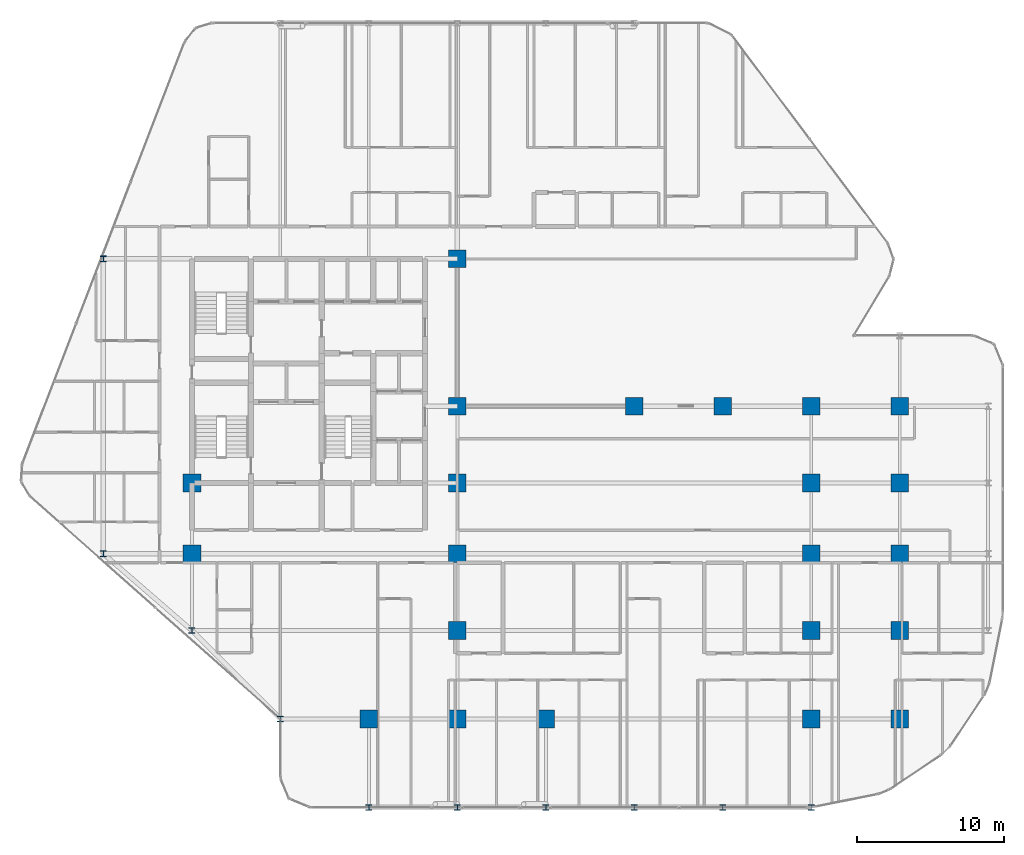
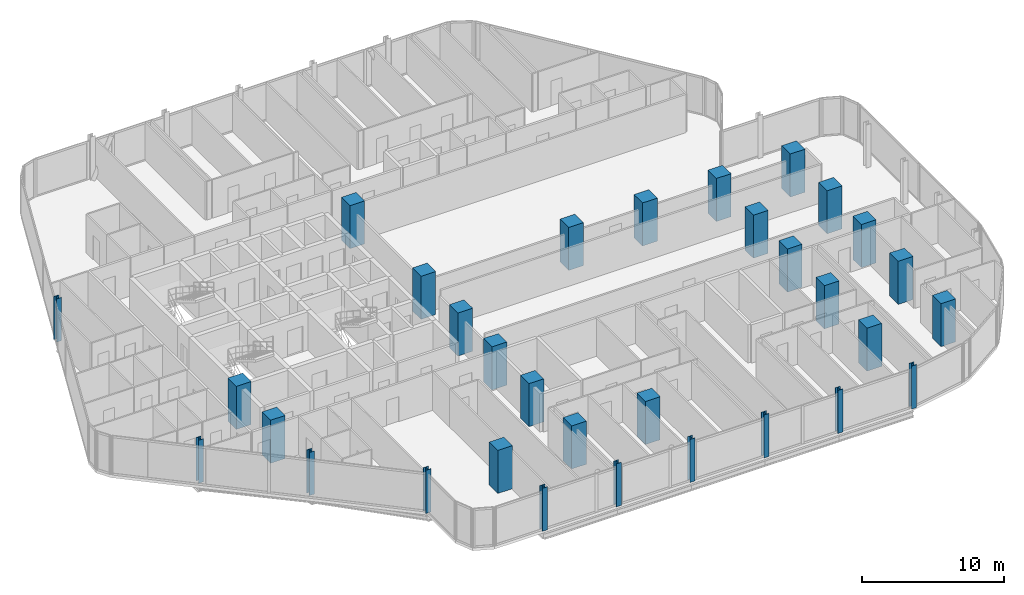
# One storey, part 1 of 33: 32 columns.
"""IFC4 building model written with IfcOpenShell, lengths in metres."""

from ifc_helpers import new_model, si_unit, direction, frame, origin, origin_2d, place, context, subcontext, project, spatial, rectangle, i_section, extrude, material, material_profile, profile_set, type_object, element, save


model = new_model("IFC4")

# Units and contexts
model_context = context("Model", 3, precision=1e-05, world=origin(), true_north=direction((0.0, 1.0)))
body_context = subcontext(model_context, "Body", "Model", "MODEL_VIEW")
ifc_project = project(units=[si_unit("LENGTHUNIT", "METRE"), si_unit("AREAUNIT", "SQUARE_METRE"), si_unit("VOLUMEUNIT", "CUBIC_METRE"), si_unit("PLANEANGLEUNIT", "RADIAN"), si_unit("MASSUNIT", "GRAM", prefix="KILO")], contexts=[model_context])

# Site, building, storey
site_placement = place(None, origin())
site = spatial("IfcSite", under=ifc_project, at=site_placement, CompositionType="ELEMENT")
building_placement = place(site_placement, origin())
building = spatial("IfcBuilding", under=site, at=building_placement, Name="Keshet Zoharim Tower", CompositionType="ELEMENT")
storey_placement = place(building_placement, frame((0.0, 0.0, 57.300048828125)))
storey = spatial("IfcBuildingStorey", under=building, at=storey_placement, Name="L13", CompositionType="ELEMENT", Elevation=57.300048828125)

# Columns
ifc_material_1 = material(Name="Steel S355", Category="steel")
ifc_material_profile_1 = material_profile(ifc_material_1, i_section(OverallWidth=0.40087890625, OverallDepth=0.39892578125, WebThickness=0.02490234375, FlangeThickness=0.03955078125, FilletRadius=0.014892578125, at=origin_2d()), Name="HD400x314")
ifc_profile_set_1 = profile_set([ifc_material_profile_1], Name="Steel S355")
column_type_1 = type_object("IfcColumnType", Name="COL-HD314", PredefinedType="COLUMN", material=ifc_profile_set_1)
for number, where, z_axis, x_axis, name in (
    (1, (9.0, 17.89990234375, 0.0), (0.0, 0.0, 1.0), (1.0, 0.0, 0.0), "L13 Column 2D"),
    (2, (9.0, 37.89990234375, 0.0), (0.0, 0.0, 1.0), (1.0, 0.0, 0.0), "L13 Column 2H"),
    (3, (15.0, 12.699951171875, 0.0), (0.0, 0.0, 1.0), (1.0, 0.0, 0.0), "L13 Column 3C"),
    (4, (21.0, 6.699951171875, 0.0), (0.0, 0.0, 1.0), (1.0, 0.0, 0.0), "L13 Column 4B"),
    (5, (27.0, 0.699951171875, 0.0), (0.0, 0.0, 1.0), (1.0, 0.0, 0.0), "L13 Column 5A"),
    (6, (33.0, 0.699951171875, 0.0), (0.0, 0.0, 1.0), (1.0, 0.0, 0.0), "L13 Column 6A"),
    (7, (39.0, 0.699951171875, 0.0), (0.0, 0.0, 1.0), (1.0, 0.0, 0.0), "L13 Column 7A"),
    (8, (45.0, 0.699951171875, 0.0), (0.0, 0.0, 1.0), (1.0, 0.0, 0.0), "L13 Column 8A"),
    (9, (51.0, 0.699951171875, 0.0), (0.0, 0.0, 1.0), (1.0, 0.0, 0.0), "L13 Column 9A"),
    (10, (57.0, 0.699951171875, 0.0), (0.0, 0.0, 1.0), (1.0, 0.0, 0.0), "L13 Column 10A"),
):
    element("IfcColumn", number, at=place(storey_placement, frame(where, z_axis=z_axis, x_axis=x_axis)), inside=storey, type_object=column_type_1, Name=name, PredefinedType="COLUMN", context=body_context, shape_type="SweptSolid", body=[
        extrude(i_section(OverallWidth=0.40087890625, OverallDepth=0.39892578125, WebThickness=0.02490234375, FlangeThickness=0.03955078125, FilletRadius=0.014892578125, at=origin_2d()), origin(), (0.0, 0.0, 1.0), 3.699951171875),
    ])
ifc_material_2 = material(Name="Concrete C60/75", Category="concrete")
ifc_material_profile_2 = material_profile(ifc_material_2, rectangle(XDim=1.199951171875, YDim=1.199951171875, at=origin_2d()), Name="RC1200x1200")
ifc_profile_set_2 = profile_set([ifc_material_profile_2], Name="Concrete C60/75")
column_type_2 = type_object("IfcColumnType", Name="COL-RC1200", PredefinedType="COLUMN", material=ifc_profile_set_2)
for number, where, z_axis, x_axis, name in (
    (11, (15.0, 17.89990234375, 0.0), (0.0, 0.0, 1.0), (1.0, 0.0, 0.0), "L13 Column 3D"),
    (12, (15.0, 22.699951171875, 0.0), (0.0, 0.0, 1.0), (1.0, 0.0, 0.0), "L13 Column 3E"),
    (13, (27.0, 6.699951171875, 0.0), (0.0, 0.0, 1.0), (1.0, 0.0, 0.0), "L13 Column 5B"),
    (14, (33.0, 6.699951171875, 0.0), (0.0, 0.0, 1.0), (1.0, 0.0, 0.0), "L13 Column 6B"),
    (15, (33.0, 12.699951171875, 0.0), (0.0, 0.0, 1.0), (1.0, 0.0, 0.0), "L13 Column 6C"),
    (16, (33.0, 17.89990234375, 0.0), (0.0, 0.0, 1.0), (1.0, 0.0, 0.0), "L13 Column 6D"),
    (17, (33.0, 22.699951171875, 0.0), (0.0, 0.0, 1.0), (1.0, 0.0, 0.0), "L13 Column 6E"),
    (18, (33.0, 27.89990234375, 0.0), (0.0, 0.0, 1.0), (1.0, 0.0, 0.0), "L13 Column 6F"),
    (19, (33.0, 37.89990234375, 0.0), (0.0, 0.0, 1.0), (1.0, 0.0, 0.0), "L13 Column 6H"),
    (20, (39.0, 6.699951171875, 0.0), (0.0, 0.0, 1.0), (1.0, 0.0, 0.0), "L13 Column 7B"),
    (21, (45.0, 27.89990234375, 0.0), (0.0, 0.0, 1.0), (1.0, 0.0, 0.0), "L13 Column 8F"),
    (22, (51.0, 27.89990234375, 0.0), (0.0, 0.0, 1.0), (1.0, 0.0, 0.0), "L13 Column 9F"),
    (23, (57.0, 6.699951171875, 0.0), (0.0, 0.0, 1.0), (1.0, 0.0, 0.0), "L13 Column 10B"),
    (24, (57.0, 12.699951171875, 0.0), (0.0, 0.0, 1.0), (1.0, 0.0, 0.0), "L13 Column 10C"),
    (25, (57.0, 17.89990234375, 0.0), (0.0, 0.0, 1.0), (1.0, 0.0, 0.0), "L13 Column 10D"),
    (26, (57.0, 22.699951171875, 0.0), (0.0, 0.0, 1.0), (1.0, 0.0, 0.0), "L13 Column 10E"),
    (27, (57.0, 27.89990234375, 0.0), (0.0, 0.0, 1.0), (1.0, 0.0, 0.0), "L13 Column 10F"),
    (28, (63.0, 6.699951171875, 0.0), (0.0, 0.0, 1.0), (1.0, 0.0, 0.0), "L13 Column 11B"),
    (29, (63.0, 12.699951171875, 0.0), (0.0, 0.0, 1.0), (1.0, 0.0, 0.0), "L13 Column 11C"),
    (30, (63.0, 17.89990234375, 0.0), (0.0, 0.0, 1.0), (1.0, 0.0, 0.0), "L13 Column 11D"),
    (31, (63.0, 22.699951171875, 0.0), (0.0, 0.0, 1.0), (1.0, 0.0, 0.0), "L13 Column 11E"),
    (32, (63.0, 27.89990234375, 0.0), (0.0, 0.0, 1.0), (1.0, 0.0, 0.0), "L13 Column 11F"),
):
    element("IfcColumn", number, at=place(storey_placement, frame(where, z_axis=z_axis, x_axis=x_axis)), inside=storey, type_object=column_type_2, Name=name, PredefinedType="COLUMN", context=body_context, shape_type="SweptSolid", body=[
        extrude(rectangle(XDim=1.199951171875, YDim=1.199951171875, at=origin_2d()), origin(), (0.0, 0.0, 1.0), 3.699951171875),
    ])

save(model, "model.ifc")
